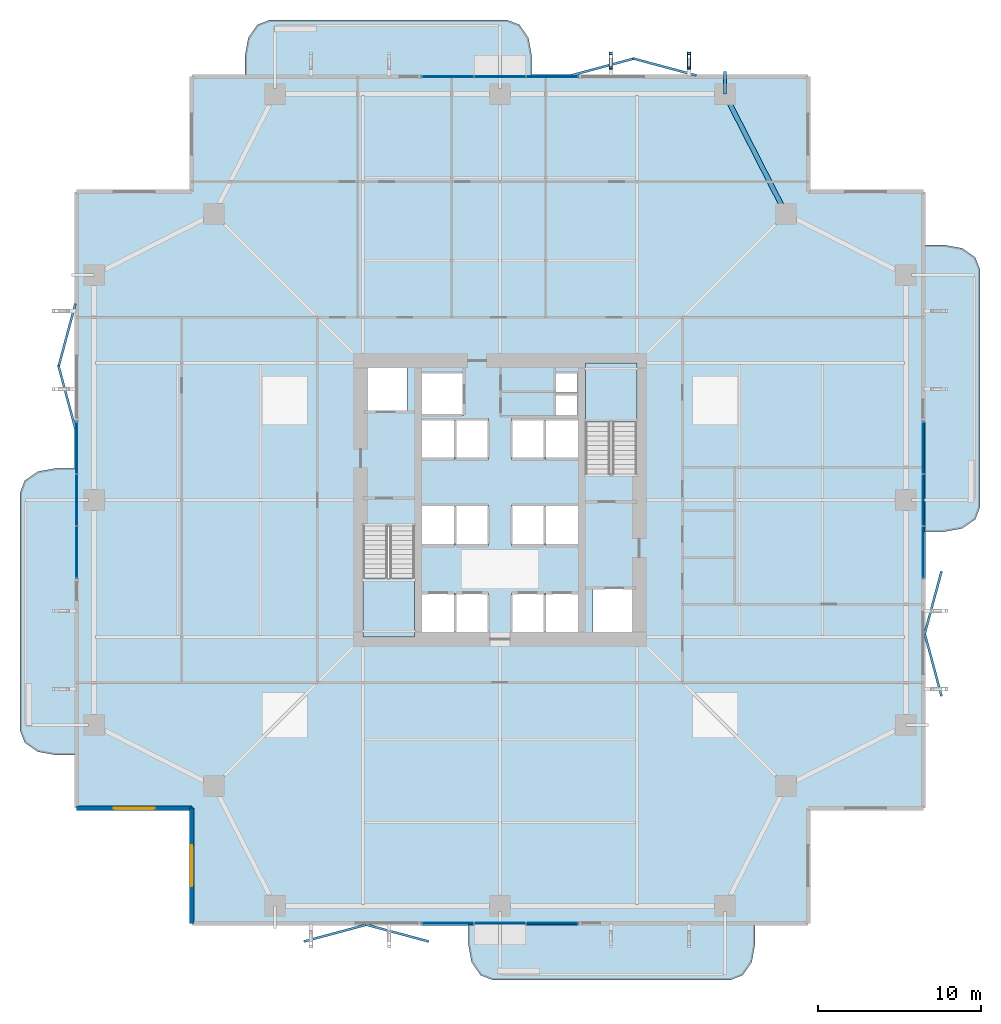
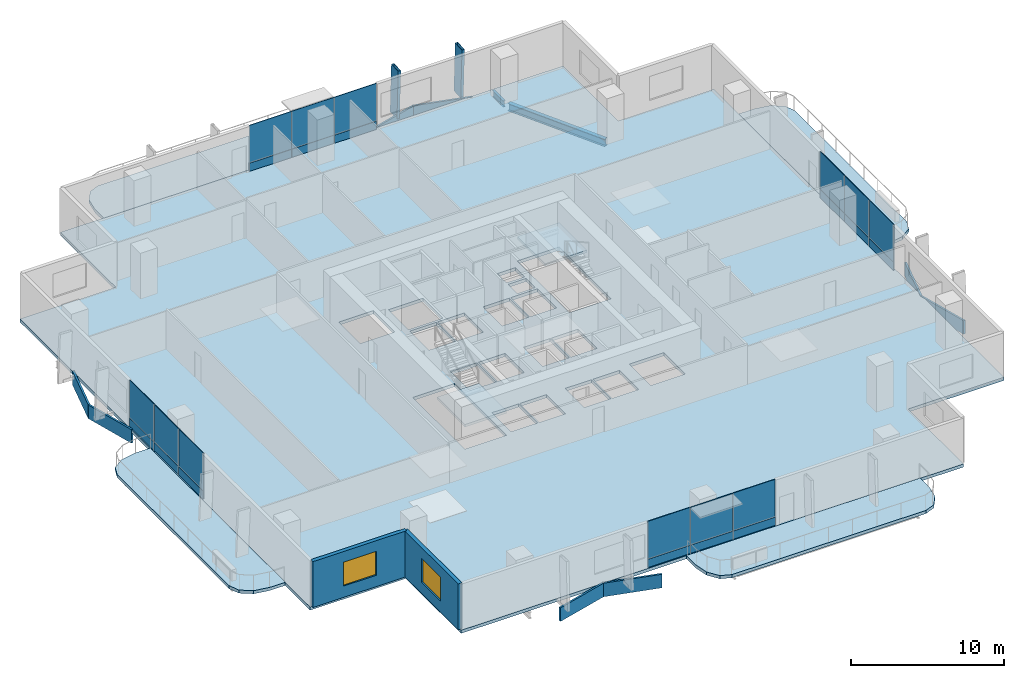
# One storey, part 16 of 24: 32 plates, 7 slabs, 2 beams, 2 members, 2 walls, 2 windows, 2 openings, 6 elements without a shape of their own.
"""IFC4 building model written with IfcOpenShell, lengths in metres."""

from ifc_helpers import new_model, si_unit, direction, frame, frame_2d, origin, origin_2d, place, context, subcontext, project, spatial, polyline, rectangle, hollow_rectangle, i_section, outline, extrude, material, layer, layer_set, material_profile, profile_set, type_object, element, fill, aggregate, save


model = new_model("IFC4")

# Units and contexts
model_context = context("Model", 3, precision=1e-05, world=origin(), true_north=direction((0.0, 1.0)))
body_context = subcontext(model_context, "Body", "Model", "MODEL_VIEW")
ifc_project = project(units=[si_unit("LENGTHUNIT", "METRE"), si_unit("AREAUNIT", "SQUARE_METRE"), si_unit("VOLUMEUNIT", "CUBIC_METRE"), si_unit("PLANEANGLEUNIT", "RADIAN"), si_unit("MASSUNIT", "GRAM", prefix="KILO")], contexts=[model_context])

# Site, building, storey
site_placement = place(None, origin())
site = spatial("IfcSite", under=ifc_project, at=site_placement, CompositionType="ELEMENT")
building_placement = place(site_placement, origin())
building = spatial("IfcBuilding", under=site, at=building_placement, Name="Belovzor Exchange Tower", CompositionType="ELEMENT")
storey_placement = place(building_placement, frame((0.0, 0.0, 117.300048828125)))
storey = spatial("IfcBuildingStorey", under=building, at=storey_placement, Name="L28", CompositionType="ELEMENT", Elevation=117.300048828125)

# Beam
ifc_material_1 = material(Name="Steel S355", Category="steel")
ifc_material_profile_1 = material_profile(ifc_material_1, i_section(OverallWidth=0.199951171875, OverallDepth=0.5, WebThickness=0.01025390625, FlangeThickness=0.01611328125, at=origin_2d()))
ifc_profile_set_1 = profile_set([ifc_material_profile_1], Name="Steel S355")
beam_type_1 = type_object("IfcBeamType", Name="Planted Balcony Cantilever Beam IPE 500", PredefinedType="BEAM", material=ifc_profile_set_1)
beam_1_placement = place(storey_placement, frame((42.60009765625, 53.699951171875, -0.5), z_axis=(0.0, 1.0, 0.0), x_axis=(-1.0, 0.0, 0.0)))
element("IfcBeam", 1, at=beam_1_placement, inside=storey, type_object=beam_type_1, Name="BC-500 Planted Balcony Cantilever Beam IPE 500", PredefinedType="BEAM", context=body_context, shape_type="SweptSolid", body=[
    extrude(i_section(OverallWidth=0.199951171875, OverallDepth=0.5, WebThickness=0.01025390625, FlangeThickness=0.01611328125, at=origin_2d()), origin(), (0.0, 0.0, 1.0), 1.400146484375),
])

# Members
ifc_material_2 = material(Name="Extruded Architectural Terracotta on Steel S355 Carrier", Category="masonry")
ifc_material_profile_2 = material_profile(ifc_material_2, hollow_rectangle(XDim=0.199951171875, YDim=0.89990234375, WallThickness=0.011962890625, at=origin_2d()))
ifc_profile_set_2 = profile_set([ifc_material_profile_2], Name="Extruded Architectural Terracotta on Steel S355 Carrier")
member_type = type_object("IfcMemberType", Name="Sweeping Terracotta Baguette Fin Assembly 1250", PredefinedType="USERDEFINED", material=ifc_profile_set_2)
for number, where, z_axis, x_axis, name in (
    (2, (35.60009765625, 55.842041015625, -0.25), (0.0, -0.040719923662, 0.999170599956), (1.0, 0.0, 0.0), "FIN-TC125 Terracotta Facade Fin L28 N3"),
    (3, (40.39990234375, 55.842041015625, -0.25), (0.0, -0.040719923662, 0.999170599956), (1.0, 0.0, 0.0), "FIN-TC125 Terracotta Facade Fin L28 N4"),
):
    element("IfcMember", number, at=place(storey_placement, frame(where, z_axis=z_axis, x_axis=x_axis)), inside=storey, type_object=member_type, Name=name, ObjectType="FIN", PredefinedType="USERDEFINED", context=body_context, shape_type="SweptSolid", body=[
        extrude(hollow_rectangle(XDim=0.199951171875, YDim=0.89990234375, WallThickness=0.011962890625, at=origin_2d()), origin(), (0.0, 0.0, 1.0), 3.903076171875),
    ])

# Beam
ifc_material_3 = material(Name="Steel S355", Category="steel")
ifc_material_profile_3 = material_profile(ifc_material_3, i_section(OverallWidth=0.300048828125, OverallDepth=0.60009765625, WebThickness=0.015380859375, FlangeThickness=0.030029296875, at=origin_2d()))
ifc_profile_set_3 = profile_set([ifc_material_profile_3], Name="Steel S355")
beam_type_2 = type_object("IfcBeamType", Name="Zone 2 Primary Perimeter Girder HEB 600", PredefinedType="BEAM", material=ifc_profile_set_3)
beam_2_placement = place(storey_placement, frame((46.18798828125, 46.66796875, -0.550048828125), z_axis=(-0.454518593109, 0.890737249989, 0.0), x_axis=(-0.890737249989, -0.454518593109, 0.0)))
element("IfcBeam", 4, at=beam_2_placement, inside=storey, type_object=beam_type_2, Name="FG-Z2 Zone 2 Primary Perimeter Girder HEB 600", PredefinedType="BEAM", context=body_context, shape_type="SweptSolid", body=[
    extrude(i_section(OverallWidth=0.300048828125, OverallDepth=0.60009765625, WebThickness=0.015380859375, FlangeThickness=0.030029296875, at=origin_2d()), origin(), (0.0, 0.0, 1.0), 7.53759765625),
])

# Slab
ifc_material_4 = material(Name="Concrete C40/50", Category="concrete")
ifc_layer_1 = layer(ifc_material_4, 0.25)
ifc_layer_set_1 = layer_set([ifc_layer_1], Name="Concrete C40/50")
slab_type_1 = type_object("IfcSlabType", Name="Composite Concrete Floor Deck Slab 250", PredefinedType="FLOOR", material=ifc_layer_set_1)
slab_1_placement = place(storey_placement, frame((0.0, 0.0, -0.25)))
element("IfcSlab", 5, at=slab_1_placement, inside=storey, type_object=slab_type_1, Name="SL-F250 Structural Slab L28", PredefinedType="FLOOR", context=body_context, shape_type="SweptSolid", body=[
    extrude(outline(polyline([(9.89990234375, 2.699951171875), (47.699951171875, 2.699951171875), (47.699951171875, 9.89990234375), (54.89990234375, 9.89990234375), (54.89990234375, 47.699951171875), (47.699951171875, 47.699951171875), (47.699951171875, 54.89990234375), (9.89990234375, 54.89990234375), (9.89990234375, 47.699951171875), (2.699951171875, 47.699951171875), (2.699951171875, 9.89990234375), (9.89990234375, 9.89990234375), (9.89990234375, 2.699951171875)]), holes=[polyline([(20.39990234375, 27.175048828125), (20.39990234375, 20.39990234375), (23.550048828125, 20.39990234375), (23.550048828125, 27.175048828125), (20.39990234375, 27.175048828125)]), polyline([(37.199951171875, 30.425048828125), (37.199951171875, 37.199951171875), (34.050048828125, 37.199951171875), (34.050048828125, 30.425048828125), (37.199951171875, 30.425048828125)]), polyline([(20.5, 34.199951171875), (23.10009765625, 34.199951171875), (23.10009765625, 37.0), (20.5, 37.0), (20.5, 34.199951171875)]), polyline([(34.5, 20.60009765625), (37.10009765625, 20.60009765625), (37.10009765625, 23.39990234375), (34.5, 23.39990234375), (34.5, 20.60009765625)]), polyline([(24.0, 34.0), (26.60009765625, 34.0), (26.60009765625, 36.60009765625), (24.0, 36.60009765625), (24.0, 34.0)]), polyline([(24.0, 20.60009765625), (26.0, 20.60009765625), (26.0, 23.10009765625), (24.0, 23.10009765625), (24.0, 20.60009765625)]), polyline([(26.10009765625, 20.60009765625), (28.10009765625, 20.60009765625), (28.10009765625, 23.10009765625), (26.10009765625, 23.10009765625), (26.10009765625, 20.60009765625)]), polyline([(29.5, 20.60009765625), (31.5, 20.60009765625), (31.5, 23.10009765625), (29.5, 23.10009765625), (29.5, 20.60009765625)]), polyline([(31.60009765625, 20.60009765625), (33.60009765625, 20.60009765625), (33.60009765625, 23.10009765625), (31.60009765625, 23.10009765625), (31.60009765625, 20.60009765625)]), polyline([(24.0, 26.0), (26.0, 26.0), (26.0, 28.5), (24.0, 28.5), (24.0, 26.0)]), polyline([(26.10009765625, 26.0), (28.10009765625, 26.0), (28.10009765625, 28.5), (26.10009765625, 28.5), (26.10009765625, 26.0)]), polyline([(29.5, 26.0), (31.5, 26.0), (31.5, 28.5), (29.5, 28.5), (29.5, 26.0)]), polyline([(31.60009765625, 26.0), (33.60009765625, 26.0), (33.60009765625, 28.5), (31.60009765625, 28.5), (31.60009765625, 26.0)]), polyline([(24.0, 31.300048828125), (26.0, 31.300048828125), (26.0, 33.800048828125), (24.0, 33.800048828125), (24.0, 31.300048828125)]), polyline([(26.10009765625, 31.300048828125), (28.10009765625, 31.300048828125), (28.10009765625, 33.800048828125), (26.10009765625, 33.800048828125), (26.10009765625, 31.300048828125)]), polyline([(29.5, 31.300048828125), (31.5, 31.300048828125), (31.5, 33.800048828125), (29.5, 33.800048828125), (29.5, 31.300048828125)]), polyline([(31.60009765625, 31.300048828125), (33.60009765625, 31.300048828125), (33.60009765625, 33.800048828125), (31.60009765625, 33.800048828125), (31.60009765625, 31.300048828125)]), polyline([(32.199951171875, 34.0), (33.550048828125, 34.0), (33.550048828125, 35.199951171875), (32.199951171875, 35.199951171875), (32.199951171875, 34.0)]), polyline([(32.199951171875, 35.39990234375), (33.550048828125, 35.39990234375), (33.550048828125, 36.60009765625), (32.199951171875, 36.60009765625), (32.199951171875, 35.39990234375)])]), origin(), (0.0, 0.0, 1.0), 0.25),
])

# Curtain wall, plates
ifc_material_5 = material(Name="Anodised Aluminium Framing", Category="aluminium")
ifc_layer_2 = layer(ifc_material_5, 0.179931640625)
ifc_layer_set_2 = layer_set([ifc_layer_2], Name="Anodised Aluminium Framing")
curtain_wall_type = type_object("IfcCurtainWallType", Name="Recessed Loggia Low-Iron Triple-Glazed Curtain Wall", PredefinedType="NOTDEFINED", material=ifc_layer_set_2)
curtain_wall_1_placement = place(storey_placement, origin())
curtain_wall_1 = element("IfcCurtainWall", 6, at=curtain_wall_1_placement, inside=storey, type_object=curtain_wall_type, Name="CW3 Recessed Loggia Low-Iron Triple-Glazed Curtain Wall L28", PredefinedType="NOTDEFINED")
ifc_material_6 = material(Name="Solar-Control Triple Glazing", Category="glass")
ifc_layer_3 = layer(ifc_material_6, 0.0439453125)
ifc_layer_set_3 = layer_set([ifc_layer_3], Name="Solar-Control Triple Glazing")
plate_type_1 = type_object("IfcPlateType", Name="Insulated Solar Glazing Curtain Panel 44", PredefinedType="CURTAIN_PANEL", material=ifc_layer_set_3)
plate_1_placement = place(storey_placement, frame((32.0, 2.830078125, 0.65185546875), z_axis=(0.0, 0.0, 1.0), x_axis=(-1.0, 0.0, 0.0)))
plate_1 = element("IfcPlate", 7, at=plate_1_placement, type_object=plate_type_1, Name="GLZ-44 Glazed Curtain Panel 1", PredefinedType="CURTAIN_PANEL", context=body_context, shape_type="SweptSolid", body=[
    extrude(rectangle(XDim=3.18408203125, YDim=0.0439453125, at=origin_2d()), origin(), (0.0, 0.0, 1.0), 2.998046875),
])
plate_2_placement = place(storey_placement, frame((28.800048828125, 2.830078125, 0.65185546875), z_axis=(0.0, 0.0, 1.0), x_axis=(-1.0, 0.0, 0.0)))
plate_2 = element("IfcPlate", 8, at=plate_2_placement, type_object=plate_type_1, Name="GLZ-44 Glazed Curtain Panel 2", PredefinedType="CURTAIN_PANEL", context=body_context, shape_type="SweptSolid", body=[
    extrude(rectangle(XDim=3.18408203125, YDim=0.0439453125, at=origin_2d()), origin(), (0.0, 0.0, 1.0), 2.998046875),
])
plate_3_placement = place(storey_placement, frame((25.60009765625, 2.830078125, 0.65185546875), z_axis=(0.0, 0.0, 1.0), x_axis=(-1.0, 0.0, 0.0)))
plate_3 = element("IfcPlate", 9, at=plate_3_placement, type_object=plate_type_1, Name="GLZ-44 Glazed Curtain Panel 3", PredefinedType="CURTAIN_PANEL", context=body_context, shape_type="SweptSolid", body=[
    extrude(rectangle(XDim=3.18408203125, YDim=0.0439453125, at=origin_2d()), origin(), (0.0, 0.0, 1.0), 2.998046875),
])

curtain_wall_2_placement = place(storey_placement, origin())
curtain_wall_2 = element("IfcCurtainWall", 10, at=curtain_wall_2_placement, inside=storey, type_object=curtain_wall_type, Name="CW3 Recessed Loggia Low-Iron Triple-Glazed Curtain Wall L28", PredefinedType="NOTDEFINED")
plate_4_placement = place(storey_placement, frame((25.60009765625, 54.77001953125, 0.65185546875), z_axis=(0.0, 0.0, 1.0), x_axis=(1.0, 0.0, 0.0)))
plate_4 = element("IfcPlate", 11, at=plate_4_placement, type_object=plate_type_1, Name="GLZ-44 Glazed Curtain Panel 1", PredefinedType="CURTAIN_PANEL", context=body_context, shape_type="SweptSolid", body=[
    extrude(rectangle(XDim=3.18408203125, YDim=0.0439453125, at=origin_2d()), origin(), (0.0, 0.0, 1.0), 2.998046875),
])
plate_5_placement = place(storey_placement, frame((28.800048828125, 54.77001953125, 0.65185546875), z_axis=(0.0, 0.0, 1.0), x_axis=(1.0, 0.0, 0.0)))
plate_5 = element("IfcPlate", 12, at=plate_5_placement, type_object=plate_type_1, Name="GLZ-44 Glazed Curtain Panel 2", PredefinedType="CURTAIN_PANEL", context=body_context, shape_type="SweptSolid", body=[
    extrude(rectangle(XDim=3.18408203125, YDim=0.0439453125, at=origin_2d()), origin(), (0.0, 0.0, 1.0), 2.998046875),
])
plate_6_placement = place(storey_placement, frame((32.0, 54.77001953125, 0.65185546875), z_axis=(0.0, 0.0, 1.0), x_axis=(1.0, 0.0, 0.0)))
plate_6 = element("IfcPlate", 13, at=plate_6_placement, type_object=plate_type_1, Name="GLZ-44 Glazed Curtain Panel 3", PredefinedType="CURTAIN_PANEL", context=body_context, shape_type="SweptSolid", body=[
    extrude(rectangle(XDim=3.18408203125, YDim=0.0439453125, at=origin_2d()), origin(), (0.0, 0.0, 1.0), 2.998046875),
])

curtain_wall_3_placement = place(storey_placement, origin())
curtain_wall_3 = element("IfcCurtainWall", 14, at=curtain_wall_3_placement, inside=storey, type_object=curtain_wall_type, Name="CW3 Recessed Loggia Low-Iron Triple-Glazed Curtain Wall L28", PredefinedType="NOTDEFINED")
plate_7_placement = place(storey_placement, frame((2.830078125, 25.60009765625, 0.65185546875), z_axis=(0.0, 0.0, 1.0), x_axis=(0.0, 1.0, 0.0)))
plate_7 = element("IfcPlate", 15, at=plate_7_placement, type_object=plate_type_1, Name="GLZ-44 Glazed Curtain Panel 1", PredefinedType="CURTAIN_PANEL", context=body_context, shape_type="SweptSolid", body=[
    extrude(rectangle(XDim=3.18408203125, YDim=0.0439453125, at=origin_2d()), origin(), (0.0, 0.0, 1.0), 2.998046875),
])
plate_8_placement = place(storey_placement, frame((2.830078125, 28.800048828125, 0.65185546875), z_axis=(0.0, 0.0, 1.0), x_axis=(0.0, 1.0, 0.0)))
plate_8 = element("IfcPlate", 16, at=plate_8_placement, type_object=plate_type_1, Name="GLZ-44 Glazed Curtain Panel 2", PredefinedType="CURTAIN_PANEL", context=body_context, shape_type="SweptSolid", body=[
    extrude(rectangle(XDim=3.18408203125, YDim=0.0439453125, at=origin_2d()), origin(), (0.0, 0.0, 1.0), 2.998046875),
])
plate_9_placement = place(storey_placement, frame((2.830078125, 32.0, 0.65185546875), z_axis=(0.0, 0.0, 1.0), x_axis=(0.0, 1.0, 0.0)))
plate_9 = element("IfcPlate", 17, at=plate_9_placement, type_object=plate_type_1, Name="GLZ-44 Glazed Curtain Panel 3", PredefinedType="CURTAIN_PANEL", context=body_context, shape_type="SweptSolid", body=[
    extrude(rectangle(XDim=3.18408203125, YDim=0.0439453125, at=origin_2d()), origin(), (0.0, 0.0, 1.0), 2.998046875),
])

curtain_wall_4_placement = place(storey_placement, origin())
curtain_wall_4 = element("IfcCurtainWall", 18, at=curtain_wall_4_placement, inside=storey, type_object=curtain_wall_type, Name="CW3 Recessed Loggia Low-Iron Triple-Glazed Curtain Wall L28", PredefinedType="NOTDEFINED")
plate_10_placement = place(storey_placement, frame((54.77001953125, 32.0, 0.65185546875), z_axis=(0.0, 0.0, 1.0), x_axis=(0.0, -1.0, 0.0)))
plate_10 = element("IfcPlate", 19, at=plate_10_placement, type_object=plate_type_1, Name="GLZ-44 Glazed Curtain Panel 1", PredefinedType="CURTAIN_PANEL", context=body_context, shape_type="SweptSolid", body=[
    extrude(rectangle(XDim=3.18408203125, YDim=0.0439453125, at=origin_2d()), origin(), (0.0, 0.0, 1.0), 2.998046875),
])
plate_11_placement = place(storey_placement, frame((54.77001953125, 28.800048828125, 0.65185546875), z_axis=(0.0, 0.0, 1.0), x_axis=(0.0, -1.0, 0.0)))
plate_11 = element("IfcPlate", 20, at=plate_11_placement, type_object=plate_type_1, Name="GLZ-44 Glazed Curtain Panel 2", PredefinedType="CURTAIN_PANEL", context=body_context, shape_type="SweptSolid", body=[
    extrude(rectangle(XDim=3.18408203125, YDim=0.0439453125, at=origin_2d()), origin(), (0.0, 0.0, 1.0), 2.998046875),
])
plate_12_placement = place(storey_placement, frame((54.77001953125, 25.60009765625, 0.65185546875), z_axis=(0.0, 0.0, 1.0), x_axis=(0.0, -1.0, 0.0)))
plate_12 = element("IfcPlate", 21, at=plate_12_placement, type_object=plate_type_1, Name="GLZ-44 Glazed Curtain Panel 3", PredefinedType="CURTAIN_PANEL", context=body_context, shape_type="SweptSolid", body=[
    extrude(rectangle(XDim=3.18408203125, YDim=0.0439453125, at=origin_2d()), origin(), (0.0, 0.0, 1.0), 2.998046875),
])

# Plates
ifc_material_7 = material(Name="Extruded Architectural Terracotta", Category="masonry")
ifc_layer_4 = layer(ifc_material_7, 0.139892578125)
ifc_layer_set_4 = layer_set([ifc_layer_4], Name="Extruded Architectural Terracotta")
plate_type_2 = type_object("IfcPlateType", Name="Mid-Tower Folded Zigzag Terracotta Spandrel Louvre 120", PredefinedType="USERDEFINED", material=ifc_layer_set_4)
for number, where, z_axis, x_axis, name in (
    (22, (18.699951171875, 2.22998046875, -1.065185546875), (0.0, 0.0, 1.0), (0.965812803231, 0.259240485101, 0.0), "LVR-ZZ2 Zigzag Terracotta Spandrel Louvre L28 S1A"),
    (23, (22.5, 2.22998046875, -1.065185546875), (0.0, 0.0, 1.0), (0.965812803231, -0.259240485101, 0.0), "LVR-ZZ2 Zigzag Terracotta Spandrel Louvre L28 S1B"),
    (24, (55.3701171875, 18.699951171875, -1.065185546875), (0.0, 0.0, 1.0), (-0.259240485101, 0.965812803231, 0.0), "LVR-ZZ2 Zigzag Terracotta Spandrel Louvre L28 E1A"),
    (25, (55.3701171875, 22.5, -1.065185546875), (0.0, 0.0, 1.0), (0.259240485101, 0.965812803231, 0.0), "LVR-ZZ2 Zigzag Terracotta Spandrel Louvre L28 E1B"),
    (26, (35.10009765625, 55.3701171875, -1.065185546875), (0.0, 0.0, 1.0), (0.965812803231, 0.259240485101, 0.0), "LVR-ZZ2 Zigzag Terracotta Spandrel Louvre L28 N2A"),
    (27, (38.89990234375, 55.3701171875, -1.065185546875), (0.0, 0.0, 1.0), (0.965812803231, -0.259240485101, 0.0), "LVR-ZZ2 Zigzag Terracotta Spandrel Louvre L28 N2B"),
    (28, (2.22998046875, 35.10009765625, -1.065185546875), (0.0, 0.0, 1.0), (-0.259240485101, 0.965812803231, 0.0), "LVR-ZZ2 Zigzag Terracotta Spandrel Louvre L28 W2A"),
    (29, (2.22998046875, 38.89990234375, -1.065185546875), (0.0, 0.0, 1.0), (0.259240485101, 0.965812803231, 0.0), "LVR-ZZ2 Zigzag Terracotta Spandrel Louvre L28 W2B"),
):
    element("IfcPlate", number, at=place(storey_placement, frame(where, z_axis=z_axis, x_axis=x_axis)), inside=storey, type_object=plate_type_2, Name=name, ObjectType="SPANDREL_LOUVRE", PredefinedType="USERDEFINED", context=body_context, shape_type="SweptSolid", body=[
        extrude(rectangle(XDim=4.014892578125, YDim=0.139892578125, at=origin_2d()), origin(), (0.0, 0.0, 1.0), 1.080078125),
    ])

# Stair, slab
ifc_material_8 = material(Name="Concrete C40/50", Category="concrete")
stair_type = type_object("IfcStairType", Name="Reinforced Concrete Dogleg Escape Stair 1350", PredefinedType="HALF_TURN_STAIR", material=ifc_material_8)
stair_1_placement = place(storey_placement, origin())
stair_1 = element("IfcStair", 30, at=stair_1_placement, inside=storey, type_object=stair_type, Name="L28 ST-1", PredefinedType="HALF_TURN_STAIR")
ifc_material_9 = material(Name="Concrete C40/50", Category="concrete")
ifc_layer_5 = layer(ifc_material_9, 0.199951171875)
ifc_layer_set_5 = layer_set([ifc_layer_5], Name="Concrete C40/50")
slab_type_2 = type_object("IfcSlabType", Name="Reinforced Concrete Stair Half-Landing Slab 200", PredefinedType="LANDING", material=ifc_layer_set_5)
slab_2_placement = place(storey_placement, frame((0.0, 0.0, 1.75)))
slab_2 = element("IfcSlab", 31, at=slab_2_placement, type_object=slab_type_2, Name="ST-1 landing 1", PredefinedType="LANDING", context=body_context, shape_type="SweptSolid", body=[
    extrude(outline(polyline([(20.39990234375, 24.010009765625), (20.39990234375, 20.39990234375), (23.550048828125, 20.39990234375), (23.550048828125, 24.010009765625), (20.39990234375, 24.010009765625)])), origin(), (0.0, 0.0, 1.0), 0.199951171875),
])
aggregate(stair_1, [slab_2])

stair_2_placement = place(storey_placement, origin())
stair_2 = element("IfcStair", 32, at=stair_2_placement, inside=storey, type_object=stair_type, Name="L28 ST-2", PredefinedType="HALF_TURN_STAIR")
slab_3_placement = place(storey_placement, frame((0.0, 0.0, 1.75)))
slab_3 = element("IfcSlab", 33, at=slab_3_placement, type_object=slab_type_2, Name="ST-2 landing 1", PredefinedType="LANDING", context=body_context, shape_type="SweptSolid", body=[
    extrude(outline(polyline([(37.199951171875, 33.590087890625), (37.199951171875, 37.199951171875), (34.050048828125, 37.199951171875), (34.050048828125, 33.590087890625), (37.199951171875, 33.590087890625)])), origin(), (0.0, 0.0, 1.0), 0.199951171875),
])
aggregate(stair_2, [slab_3])

# Plate
ifc_material_10 = material(Name="Extruded Architectural Terracotta", Category="masonry")
ifc_layer_6 = layer(ifc_material_10, 0.090087890625)
ifc_layer_set_6 = layer_set([ifc_layer_6], Name="Extruded Architectural Terracotta")
plate_type_3 = type_object("IfcPlateType", Name="Terracotta Shadow-Box Spandrel Panel 90", PredefinedType="CURTAIN_PANEL", material=ifc_layer_set_6)
plate_13_placement = place(storey_placement, frame((32.0, 2.830078125, 0.0), z_axis=(0.0, 0.0, 1.0), x_axis=(-1.0, 0.0, 0.0)))
plate_13 = element("IfcPlate", 34, at=plate_13_placement, type_object=plate_type_3, Name="SPD-90 Spandrel Panel 1", PredefinedType="CURTAIN_PANEL", context=body_context, shape_type="SweptSolid", body=[
    extrude(rectangle(XDim=3.18408203125, YDim=0.090087890625, at=origin_2d()), origin(), (0.0, 0.0, 1.0), 0.64794921875),
])

plate_14_placement = place(storey_placement, frame((28.800048828125, 2.830078125, 0.0), z_axis=(0.0, 0.0, 1.0), x_axis=(-1.0, 0.0, 0.0)))
plate_14 = element("IfcPlate", 35, at=plate_14_placement, type_object=plate_type_3, Name="SPD-90 Spandrel Panel 2", PredefinedType="CURTAIN_PANEL", context=body_context, shape_type="SweptSolid", body=[
    extrude(rectangle(XDim=3.18408203125, YDim=0.090087890625, at=origin_2d()), origin(), (0.0, 0.0, 1.0), 0.64794921875),
])

plate_15_placement = place(storey_placement, frame((25.60009765625, 2.830078125, 0.0), z_axis=(0.0, 0.0, 1.0), x_axis=(-1.0, 0.0, 0.0)))
plate_15 = element("IfcPlate", 36, at=plate_15_placement, type_object=plate_type_3, Name="SPD-90 Spandrel Panel 3", PredefinedType="CURTAIN_PANEL", context=body_context, shape_type="SweptSolid", body=[
    extrude(rectangle(XDim=3.18408203125, YDim=0.090087890625, at=origin_2d()), origin(), (0.0, 0.0, 1.0), 0.64794921875),
])

aggregate(curtain_wall_1, [plate_13, plate_1, plate_14, plate_2, plate_15, plate_3])

plate_16_placement = place(storey_placement, frame((25.60009765625, 54.77001953125, 0.0), z_axis=(0.0, 0.0, 1.0), x_axis=(1.0, 0.0, 0.0)))
plate_16 = element("IfcPlate", 37, at=plate_16_placement, type_object=plate_type_3, Name="SPD-90 Spandrel Panel 1", PredefinedType="CURTAIN_PANEL", context=body_context, shape_type="SweptSolid", body=[
    extrude(rectangle(XDim=3.18408203125, YDim=0.090087890625, at=origin_2d()), origin(), (0.0, 0.0, 1.0), 0.64794921875),
])

plate_17_placement = place(storey_placement, frame((28.800048828125, 54.77001953125, 0.0), z_axis=(0.0, 0.0, 1.0), x_axis=(1.0, 0.0, 0.0)))
plate_17 = element("IfcPlate", 38, at=plate_17_placement, type_object=plate_type_3, Name="SPD-90 Spandrel Panel 2", PredefinedType="CURTAIN_PANEL", context=body_context, shape_type="SweptSolid", body=[
    extrude(rectangle(XDim=3.18408203125, YDim=0.090087890625, at=origin_2d()), origin(), (0.0, 0.0, 1.0), 0.64794921875),
])

plate_18_placement = place(storey_placement, frame((32.0, 54.77001953125, 0.0), z_axis=(0.0, 0.0, 1.0), x_axis=(1.0, 0.0, 0.0)))
plate_18 = element("IfcPlate", 39, at=plate_18_placement, type_object=plate_type_3, Name="SPD-90 Spandrel Panel 3", PredefinedType="CURTAIN_PANEL", context=body_context, shape_type="SweptSolid", body=[
    extrude(rectangle(XDim=3.18408203125, YDim=0.090087890625, at=origin_2d()), origin(), (0.0, 0.0, 1.0), 0.64794921875),
])

aggregate(curtain_wall_2, [plate_16, plate_4, plate_17, plate_5, plate_18, plate_6])

plate_19_placement = place(storey_placement, frame((2.830078125, 25.60009765625, 0.0), z_axis=(0.0, 0.0, 1.0), x_axis=(0.0, 1.0, 0.0)))
plate_19 = element("IfcPlate", 40, at=plate_19_placement, type_object=plate_type_3, Name="SPD-90 Spandrel Panel 1", PredefinedType="CURTAIN_PANEL", context=body_context, shape_type="SweptSolid", body=[
    extrude(rectangle(XDim=3.18408203125, YDim=0.090087890625, at=origin_2d()), origin(), (0.0, 0.0, 1.0), 0.64794921875),
])

plate_20_placement = place(storey_placement, frame((2.830078125, 28.800048828125, 0.0), z_axis=(0.0, 0.0, 1.0), x_axis=(0.0, 1.0, 0.0)))
plate_20 = element("IfcPlate", 41, at=plate_20_placement, type_object=plate_type_3, Name="SPD-90 Spandrel Panel 2", PredefinedType="CURTAIN_PANEL", context=body_context, shape_type="SweptSolid", body=[
    extrude(rectangle(XDim=3.18408203125, YDim=0.090087890625, at=origin_2d()), origin(), (0.0, 0.0, 1.0), 0.64794921875),
])

plate_21_placement = place(storey_placement, frame((2.830078125, 32.0, 0.0), z_axis=(0.0, 0.0, 1.0), x_axis=(0.0, 1.0, 0.0)))
plate_21 = element("IfcPlate", 42, at=plate_21_placement, type_object=plate_type_3, Name="SPD-90 Spandrel Panel 3", PredefinedType="CURTAIN_PANEL", context=body_context, shape_type="SweptSolid", body=[
    extrude(rectangle(XDim=3.18408203125, YDim=0.090087890625, at=origin_2d()), origin(), (0.0, 0.0, 1.0), 0.64794921875),
])

aggregate(curtain_wall_3, [plate_19, plate_7, plate_20, plate_8, plate_21, plate_9])

plate_22_placement = place(storey_placement, frame((54.77001953125, 32.0, 0.0), z_axis=(0.0, 0.0, 1.0), x_axis=(0.0, -1.0, 0.0)))
plate_22 = element("IfcPlate", 43, at=plate_22_placement, type_object=plate_type_3, Name="SPD-90 Spandrel Panel 1", PredefinedType="CURTAIN_PANEL", context=body_context, shape_type="SweptSolid", body=[
    extrude(rectangle(XDim=3.18408203125, YDim=0.090087890625, at=origin_2d()), origin(), (0.0, 0.0, 1.0), 0.64794921875),
])

plate_23_placement = place(storey_placement, frame((54.77001953125, 28.800048828125, 0.0), z_axis=(0.0, 0.0, 1.0), x_axis=(0.0, -1.0, 0.0)))
plate_23 = element("IfcPlate", 44, at=plate_23_placement, type_object=plate_type_3, Name="SPD-90 Spandrel Panel 2", PredefinedType="CURTAIN_PANEL", context=body_context, shape_type="SweptSolid", body=[
    extrude(rectangle(XDim=3.18408203125, YDim=0.090087890625, at=origin_2d()), origin(), (0.0, 0.0, 1.0), 0.64794921875),
])

plate_24_placement = place(storey_placement, frame((54.77001953125, 25.60009765625, 0.0), z_axis=(0.0, 0.0, 1.0), x_axis=(0.0, -1.0, 0.0)))
plate_24 = element("IfcPlate", 45, at=plate_24_placement, type_object=plate_type_3, Name="SPD-90 Spandrel Panel 3", PredefinedType="CURTAIN_PANEL", context=body_context, shape_type="SweptSolid", body=[
    extrude(rectangle(XDim=3.18408203125, YDim=0.090087890625, at=origin_2d()), origin(), (0.0, 0.0, 1.0), 0.64794921875),
])

aggregate(curtain_wall_4, [plate_22, plate_10, plate_23, plate_11, plate_24, plate_12])

# Slabs
ifc_material_11 = material(Name="Concrete C40/50", Category="concrete")
ifc_layer_7 = layer(ifc_material_11, 0.25)
ifc_layer_set_7 = layer_set([ifc_layer_7], Name="Concrete C40/50")
slab_type_3 = type_object("IfcSlabType", Name="Thermally Broken Planted Balcony Slab 250", PredefinedType="FLOOR", material=ifc_layer_set_7)
slab_4_placement = place(storey_placement, frame((0.0, 0.0, -0.25)))
element("IfcSlab", 46, at=slab_4_placement, inside=storey, type_object=slab_type_3, Name="SL-BAL220 Planted Balcony Loggia L28 South", PredefinedType="FLOOR", context=body_context, shape_type="SweptSolid", body=[
    extrude(outline(polyline([(26.85009765625, 2.715087890625), (26.85009765625, 1.550048828125), (27.051025390625, 0.449951171875), (27.60009765625, -0.35498046875), (28.35009765625, -0.64990234375), (42.949951171875, -0.64990234375), (43.699951171875, -0.35498046875), (44.2490234375, 0.449951171875), (44.449951171875, 1.550048828125), (44.449951171875, 2.715087890625), (26.85009765625, 2.715087890625)])), origin(), (0.0, 0.0, 1.0), 0.25),
])
slab_5_placement = place(storey_placement, frame((0.0, 0.0, -0.25)))
element("IfcSlab", 47, at=slab_5_placement, inside=storey, type_object=slab_type_3, Name="SL-BAL220 Planted Balcony Loggia L28 North", PredefinedType="FLOOR", context=body_context, shape_type="SweptSolid", body=[
    extrude(outline(polyline([(30.75, 54.885009765625), (30.75, 56.050048828125), (30.549072265625, 57.14990234375), (30.0, 57.955078125), (29.25, 58.25), (14.64990234375, 58.25), (13.89990234375, 57.955078125), (13.35107421875, 57.14990234375), (13.14990234375, 56.050048828125), (13.14990234375, 54.885009765625), (30.75, 54.885009765625)])), origin(), (0.0, 0.0, 1.0), 0.25),
])
slab_6_placement = place(storey_placement, frame((0.0, 0.0, -0.25)))
element("IfcSlab", 48, at=slab_6_placement, inside=storey, type_object=slab_type_3, Name="SL-BAL220 Planted Balcony Loggia L28 East", PredefinedType="FLOOR", context=body_context, shape_type="SweptSolid", body=[
    extrude(outline(polyline([(54.885009765625, 26.85009765625), (56.050048828125, 26.85009765625), (57.14990234375, 27.051025390625), (57.955078125, 27.60009765625), (58.25, 28.35009765625), (58.25, 42.949951171875), (57.955078125, 43.699951171875), (57.14990234375, 44.2490234375), (56.050048828125, 44.449951171875), (54.885009765625, 44.449951171875), (54.885009765625, 26.85009765625)])), origin(), (0.0, 0.0, 1.0), 0.25),
])
slab_7_placement = place(storey_placement, frame((0.0, 0.0, -0.25)))
element("IfcSlab", 49, at=slab_7_placement, inside=storey, type_object=slab_type_3, Name="SL-BAL220 Planted Balcony Loggia L28 West", PredefinedType="FLOOR", context=body_context, shape_type="SweptSolid", body=[
    extrude(outline(polyline([(2.715087890625, 30.75), (1.550048828125, 30.75), (0.449951171875, 30.549072265625), (-0.35498046875, 30.0), (-0.64990234375, 29.25), (-0.64990234375, 14.64990234375), (-0.35498046875, 13.89990234375), (0.449951171875, 13.35107421875), (1.550048828125, 13.14990234375), (2.715087890625, 13.14990234375), (2.715087890625, 30.75)])), origin(), (0.0, 0.0, 1.0), 0.25),
])

# Wall, opening, window
ifc_material_12 = material(Name="Precast concrete C40/50", Category="concrete")
ifc_layer_8 = layer(ifc_material_12, 0.280029296875)
ifc_layer_set_8 = layer_set([ifc_layer_8], Name="Precast concrete C40/50")
wall_type = type_object("IfcWallType", Name="Precast Concrete Notched Corner Frame Wall 280", PredefinedType="SOLIDWALL", material=ifc_layer_set_8)
wall_1_placement = place(storey_placement, frame((9.89990234375, 2.830078125, 0.0), z_axis=(0.0, 0.0, 1.0), x_axis=(0.0, 1.0, 0.0)))
wall_1 = element("IfcWall", 50, at=wall_1_placement, inside=storey, type_object=wall_type, Name="W-CRN280 Precast Concrete Notched Corner Frame Wall 280 L28", PredefinedType="SOLIDWALL", context=body_context, shape_type="SweptSolid", body=[
    extrude(rectangle(XDim=7.06982421875, YDim=0.280029296875, at=frame_2d((3.534912109375, 0.0))), origin(), (0.0, 0.0, 1.0), 3.64990234375),
])
opening_1_placement = place(wall_1_placement, frame((2.284912109375, 0.0, 0.89990234375)))
opening_1 = element("IfcOpeningElement", 51, at=opening_1_placement, cuts=wall_1, Name="Opening WN-CRN250", PredefinedType="OPENING", context=body_context, shape_type="SweptSolid", body=[
    extrude(rectangle(XDim=2.5, YDim=1.89990234375, at=frame_2d((1.25, 0.949951171875))), frame((0.0, 0.14990234375, 0.0), z_axis=(0.0, -1.0, 0.0), x_axis=(1.0, 0.0, 0.0)), (0.0, 0.0, 1.0), 0.300048828125),
])
ifc_material_13 = material(Name="Thermally Broken Aluminium and Triple Glazing", Category="aluminium")
window_type = type_object("IfcWindowType", Name="Streamline Moderne Corner Wrap Ribbon Window 2500x1900", PartitioningType="SINGLE_PANEL", PredefinedType="WINDOW", material=ifc_material_13)
window_1_placement = place(opening_1_placement, origin())
window_1 = element("IfcWindow", 52, at=window_1_placement, inside=storey, type_object=window_type, Name="WN-CRN250 Streamline Moderne Corner Wrap Ribbon Window 2500x1900", OverallHeight=1.89990234375, OverallWidth=2.5, PartitioningType="SINGLE_PANEL", PredefinedType="WINDOW", context=body_context, shape_type="SweptSolid", body=[
    extrude(rectangle(XDim=2.5, YDim=1.89990234375, at=frame_2d((1.25, 0.949951171875))), frame((0.0, 0.030029296875, 0.0), z_axis=(0.0, -1.0, 0.0), x_axis=(1.0, 0.0, 0.0)), (0.0, 0.0, 1.0), 0.06005859375),
])
fill(opening_1, window_1)

wall_2_placement = place(storey_placement, frame((9.89990234375, 9.89990234375, 0.0), z_axis=(0.0, 0.0, 1.0), x_axis=(-1.0, 0.0, 0.0)))
wall_2 = element("IfcWall", 53, at=wall_2_placement, inside=storey, type_object=wall_type, Name="W-CRN280 Precast Concrete Notched Corner Frame Wall 280 L28", PredefinedType="SOLIDWALL", context=body_context, shape_type="SweptSolid", body=[
    extrude(rectangle(XDim=7.06982421875, YDim=0.280029296875, at=frame_2d((3.534912109375, 0.0))), origin(), (0.0, 0.0, 1.0), 3.64990234375),
])
opening_2_placement = place(wall_2_placement, frame((2.284912109375, 0.0, 0.89990234375)))
opening_2 = element("IfcOpeningElement", 54, at=opening_2_placement, cuts=wall_2, Name="Opening WN-CRN250", PredefinedType="OPENING", context=body_context, shape_type="SweptSolid", body=[
    extrude(rectangle(XDim=2.5, YDim=1.89990234375, at=frame_2d((1.25, 0.949951171875))), frame((0.0, 0.14990234375, 0.0), z_axis=(0.0, -1.0, 0.0), x_axis=(1.0, 0.0, 0.0)), (0.0, 0.0, 1.0), 0.300048828125),
])
window_2_placement = place(opening_2_placement, origin())
window_2 = element("IfcWindow", 55, at=window_2_placement, inside=storey, type_object=window_type, Name="WN-CRN250 Streamline Moderne Corner Wrap Ribbon Window 2500x1900", OverallHeight=1.89990234375, OverallWidth=2.5, PartitioningType="SINGLE_PANEL", PredefinedType="WINDOW", context=body_context, shape_type="SweptSolid", body=[
    extrude(rectangle(XDim=2.5, YDim=1.89990234375, at=frame_2d((1.25, 0.949951171875))), frame((0.0, 0.030029296875, 0.0), z_axis=(0.0, -1.0, 0.0), x_axis=(1.0, 0.0, 0.0)), (0.0, 0.0, 1.0), 0.06005859375),
])
fill(opening_2, window_2)

save(model, "model.ifc")
